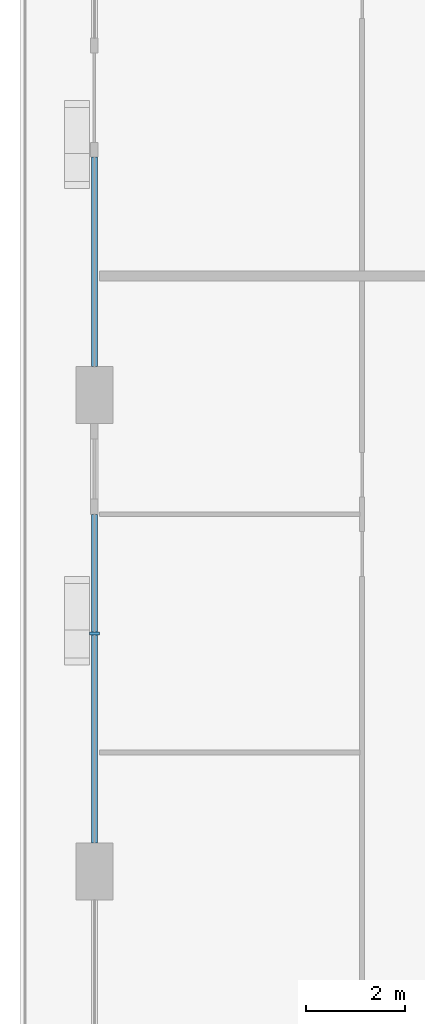
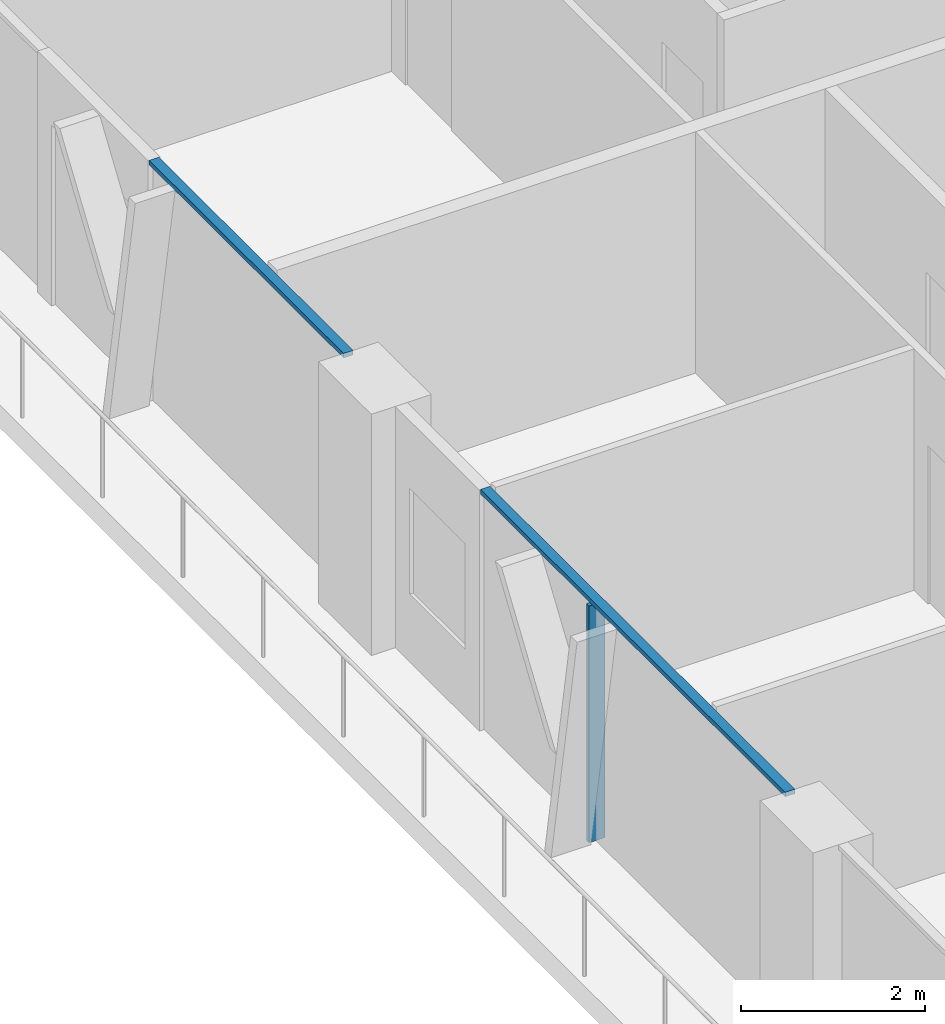
# One storey, part 3 of 23: 3 members, 2 elements without a shape of their own.
"""IFC4 building model written with IfcOpenShell, lengths in metres."""

from ifc_helpers import new_model, si_unit, direction, frame, origin, origin_2d, place, context, subcontext, project, spatial, rectangle, extrude, material, layer, layer_set, material_profile, profile_set, type_object, element, aggregate, save


model = new_model("IFC4")

# Units and contexts
model_context = context("Model", 3, precision=1e-05, world=origin(), true_north=direction((0.0, 1.0)))
body_context = subcontext(model_context, "Body", "Model", "MODEL_VIEW")
ifc_project = project(units=[si_unit("LENGTHUNIT", "METRE"), si_unit("AREAUNIT", "SQUARE_METRE"), si_unit("VOLUMEUNIT", "CUBIC_METRE"), si_unit("PLANEANGLEUNIT", "RADIAN"), si_unit("MASSUNIT", "GRAM", prefix="KILO")], contexts=[model_context])

# Site, building, storey
site_placement = place(None, origin())
site = spatial("IfcSite", under=ifc_project, at=site_placement, CompositionType="ELEMENT")
building_placement = place(site_placement, origin())
building = spatial("IfcBuilding", under=site, at=building_placement, Name="Madar Terraces", CompositionType="ELEMENT")
storey_placement = place(building_placement, frame((0.0, 0.0, 133.10009765625)))
storey = spatial("IfcBuildingStorey", under=building, at=storey_placement, Name="L34", CompositionType="ELEMENT", Elevation=133.10009765625)

# Curtain wall, member
ifc_material_1 = material(Name="Glass, ceramic frit dark grey, with black aluminium frame", Category="aluminium")
ifc_layer = layer(ifc_material_1, 0.199951171875)
ifc_layer_set = layer_set([ifc_layer], Name="Facade curtain wall, fritted glass")
curtain_wall_type = type_object("IfcCurtainWallType", Name="Facade curtain wall, fritted glass", PredefinedType="NOTDEFINED", material=ifc_layer_set)
curtain_wall_1_placement = place(storey_placement, origin())
curtain_wall_1 = element("IfcCurtainWall", 1, at=curtain_wall_1_placement, inside=storey, type_object=curtain_wall_type, Name="Outer skin curtain wall west bay 3", PredefinedType="NOTDEFINED")
ifc_material_2 = material(Name="Aluminium, black anodised", Category="aluminium")
ifc_material_profile_1 = material_profile(ifc_material_2, rectangle(XDim=0.199951171875, YDim=0.06005859375, at=origin_2d()), Name="Facade mullion 60x200")
ifc_profile_set_1 = profile_set([ifc_material_profile_1], Name="Aluminium, black anodised")
member_type_1 = type_object("IfcMemberType", Name="Facade mullion 60x200", PredefinedType="MULLION", material=ifc_profile_set_1)
member_1_placement = place(storey_placement, frame((0.0, 24.0, 0.0), z_axis=(0.0, 0.0, 1.0), x_axis=(1.0, 0.0, 0.0)))
member_1 = element("IfcMember", 2, at=member_1_placement, type_object=member_type_1, Name="Mullion 1", PredefinedType="MULLION", context=body_context, shape_type="SweptSolid", body=[
    extrude(rectangle(XDim=0.199951171875, YDim=0.06005859375, at=origin_2d()), origin(), (0.0, 0.0, 1.0), 3.139892578125),
])

curtain_wall_2_placement = place(storey_placement, origin())
curtain_wall_2 = element("IfcCurtainWall", 3, at=curtain_wall_2_placement, inside=storey, type_object=curtain_wall_type, Name="Outer skin curtain wall west bay 2", PredefinedType="NOTDEFINED")
ifc_material_3 = material(Name="Aluminium, black anodised", Category="aluminium")
ifc_material_profile_2 = material_profile(ifc_material_3, rectangle(XDim=0.1201171875, YDim=0.06005859375, at=origin_2d()), Name="Facade transom 60x120")
ifc_profile_set_2 = profile_set([ifc_material_profile_2], Name="Aluminium, black anodised")
member_type_2 = type_object("IfcMemberType", Name="Facade transom 60x120", PredefinedType="USERDEFINED", material=ifc_profile_set_2)
member_2_placement = place(storey_placement, frame((0.0, 33.60009765625, 3.169921875), z_axis=(0.0, -1.0, 0.0), x_axis=(1.0, 0.0, 0.0)))
member_2 = element("IfcMember", 4, at=member_2_placement, type_object=member_type_2, Name="Transom 2", ObjectType="TRANSOM", PredefinedType="USERDEFINED", context=body_context, shape_type="SweptSolid", body=[
    extrude(rectangle(XDim=0.1201171875, YDim=0.06005859375, at=origin_2d()), origin(), (0.0, 0.0, 1.0), 4.22509765625),
])
aggregate(curtain_wall_2, [member_2])

# Member
member_3_placement = place(storey_placement, frame((0.0, 26.39990234375, 3.169921875), z_axis=(0.0, -1.0, 0.0), x_axis=(1.0, 0.0, 0.0)))
member_3 = element("IfcMember", 5, at=member_3_placement, type_object=member_type_2, Name="Transom 1", ObjectType="TRANSOM", PredefinedType="USERDEFINED", context=body_context, shape_type="SweptSolid", body=[
    extrude(rectangle(XDim=0.1201171875, YDim=0.06005859375, at=origin_2d()), origin(), (0.0, 0.0, 1.0), 6.625),
])

aggregate(curtain_wall_1, [member_1, member_3])

save(model, "model.ifc")
